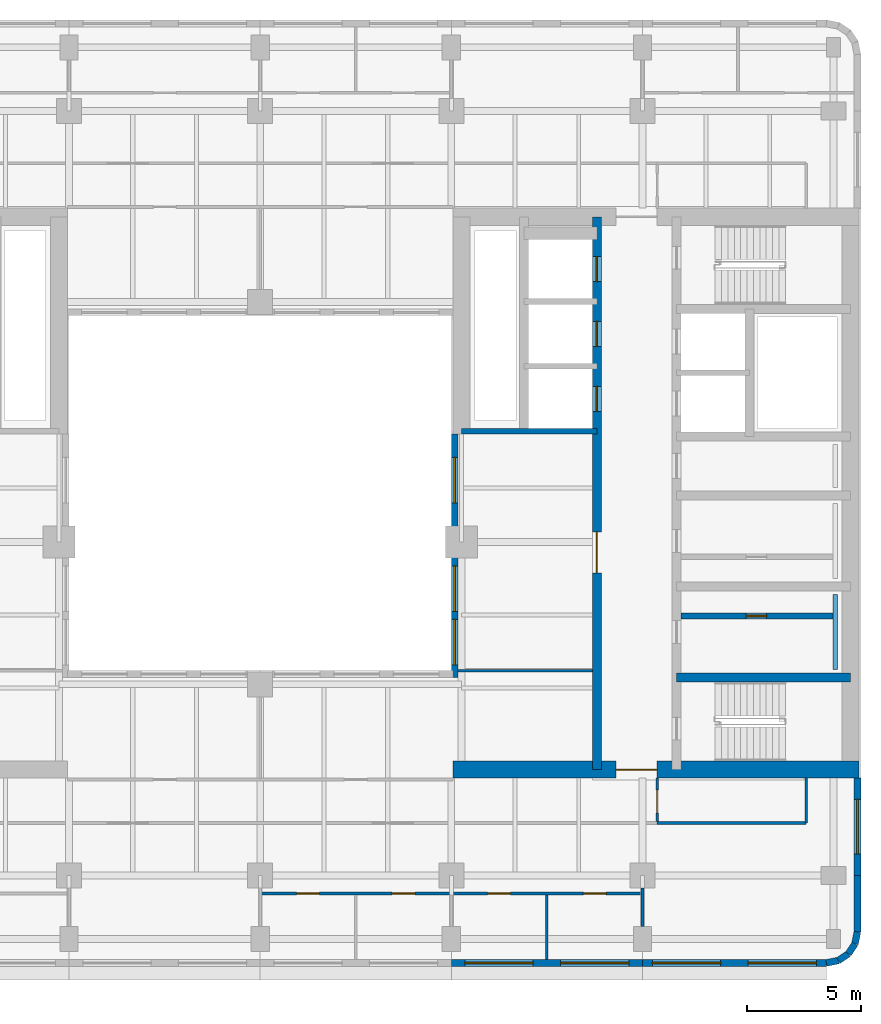
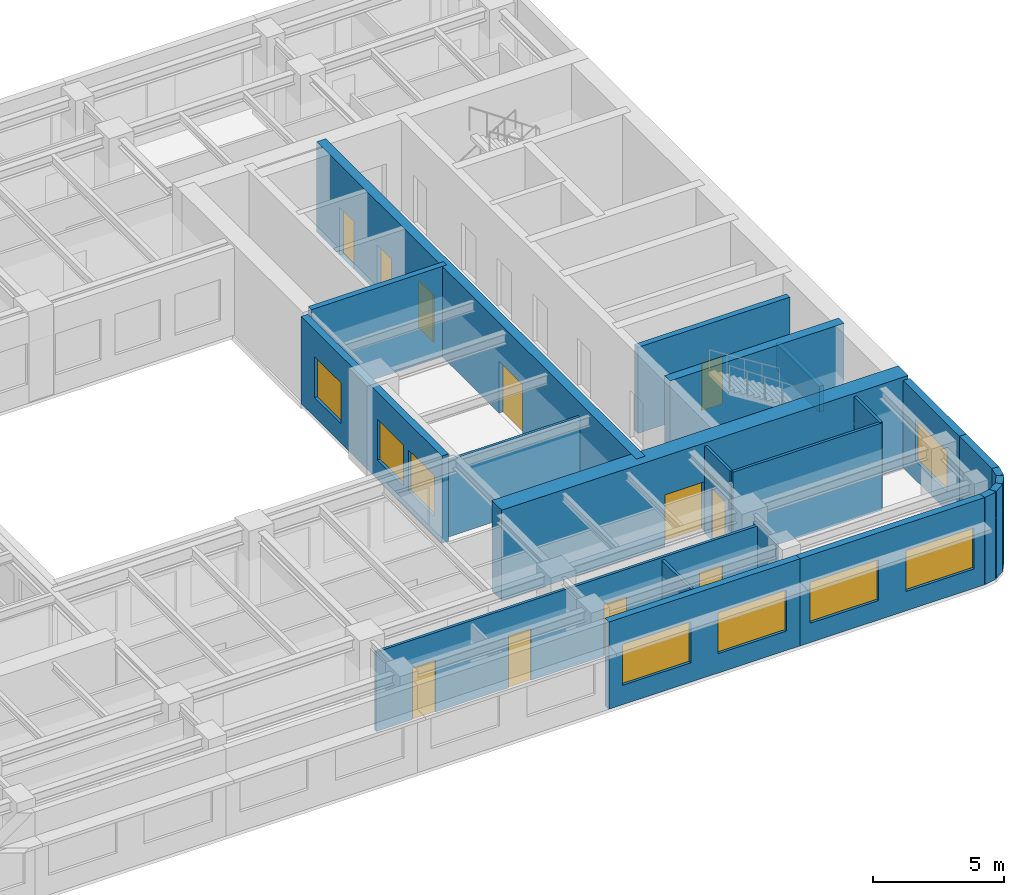
# One storey, part 5 of 11: 22 walls, 11 doors, 8 windows, 19 openings.
"""IFC4 building model written with IfcOpenShell, lengths in metres."""

from ifc_helpers import new_model, si_unit, direction, frame, frame_2d, origin, place, context, subcontext, project, spatial, rectangle, extrude, material, layer, layer_set, type_object, element, fill, save


model = new_model("IFC4")

# Units and contexts
model_context = context("Model", 3, precision=1e-05, world=origin(), true_north=direction((0.0, 1.0)))
body_context = subcontext(model_context, "Body", "Model", "MODEL_VIEW")
ifc_project = project(units=[si_unit("LENGTHUNIT", "METRE"), si_unit("AREAUNIT", "SQUARE_METRE"), si_unit("VOLUMEUNIT", "CUBIC_METRE"), si_unit("PLANEANGLEUNIT", "RADIAN"), si_unit("MASSUNIT", "GRAM", prefix="KILO")], contexts=[model_context])

# Site, building, storey
site_placement = place(None, origin())
site = spatial("IfcSite", under=ifc_project, at=site_placement, CompositionType="ELEMENT")
building_placement = place(site_placement, origin())
building = spatial("IfcBuilding", under=site, at=building_placement, Name="Claustro Exchange Tower", CompositionType="ELEMENT")
storey_placement = place(building_placement, frame((0.0, 0.0, 228.0)))
storey = spatial("IfcBuildingStorey", under=building, at=storey_placement, Name="L52", CompositionType="ELEMENT", Elevation=228.0)

# Wall
ifc_material_1 = material(Name="Laminated glass in aluminium frame", Category="aluminium")
ifc_layer_1 = layer(ifc_material_1, 0.1201171875)
ifc_layer_set_1 = layer_set([ifc_layer_1], Name="Laminated glass in aluminium frame")
wall_type_1 = type_object("IfcWallType", Name="P2 120 glazed partition", PredefinedType="PARTITIONING", material=ifc_layer_set_1)
wall_1_placement = place(storey_placement, frame((33.89794921875, 17.39990234375, 0.0), z_axis=(0.0, 0.0, 1.0), x_axis=(1.0, 0.0, 0.0)))
element("IfcWall", 1, at=wall_1_placement, inside=storey, type_object=wall_type_1, Name="Partition P2 L52", PredefinedType="PARTITIONING", context=body_context, shape_type="SweptSolid", body=[
    extrude(rectangle(XDim=5.904052734375, YDim=0.1201171875, at=frame_2d((2.9521484375, 0.0))), origin(), (0.0, 0.0, 1.0), 3.550048828125),
])

# Wall, openings, doors
wall_2_placement = place(storey_placement, frame((25.199951171875, 7.60009765625, 0.0), z_axis=(0.0, 0.0, 1.0), x_axis=(1.0, 0.0, 0.0)))
wall_2 = element("IfcWall", 2, at=wall_2_placement, inside=storey, type_object=wall_type_1, Name="Partition P2 L52", PredefinedType="PARTITIONING", context=body_context, shape_type="SweptSolid", body=[
    extrude(rectangle(XDim=16.800048828125, YDim=0.1201171875, at=frame_2d((8.39990234375, 0.0))), origin(), (0.0, 0.0, 1.0), 3.68994140625),
])
opening_1_placement = place(wall_2_placement, frame((1.60009765625, 0.0, 0.0)))
opening_1 = element("IfcOpeningElement", 3, at=opening_1_placement, cuts=wall_2, Name="Opening D7", PredefinedType="OPENING", context=body_context, shape_type="SweptSolid", body=[
    extrude(rectangle(XDim=1.0, YDim=2.39990234375, at=frame_2d((0.5, 1.199951171875))), frame((0.0, 0.070068359375, 0.0), z_axis=(0.0, -1.0, 0.0), x_axis=(1.0, 0.0, 0.0)), (0.0, 0.0, 1.0), 0.14013671875),
])
opening_2_placement = place(wall_2_placement, frame((5.800048828125, 0.0, 0.0)))
opening_2 = element("IfcOpeningElement", 4, at=opening_2_placement, cuts=wall_2, Name="Opening D7", PredefinedType="OPENING", context=body_context, shape_type="SweptSolid", body=[
    extrude(rectangle(XDim=1.0, YDim=2.39990234375, at=frame_2d((0.5, 1.199951171875))), frame((0.0, 0.070068359375, 0.0), z_axis=(0.0, -1.0, 0.0), x_axis=(1.0, 0.0, 0.0)), (0.0, 0.0, 1.0), 0.14013671875),
])
opening_3_placement = place(wall_2_placement, frame((10.0, 0.0, 0.0)))
opening_3 = element("IfcOpeningElement", 5, at=opening_3_placement, cuts=wall_2, Name="Opening D7", PredefinedType="OPENING", context=body_context, shape_type="SweptSolid", body=[
    extrude(rectangle(XDim=1.0, YDim=2.39990234375, at=frame_2d((0.5, 1.199951171875))), frame((0.0, 0.070068359375, 0.0), z_axis=(0.0, -1.0, 0.0), x_axis=(1.0, 0.0, 0.0)), (0.0, 0.0, 1.0), 0.14013671875),
])
opening_4_placement = place(wall_2_placement, frame((14.199951171875, 0.0, 0.0)))
opening_4 = element("IfcOpeningElement", 6, at=opening_4_placement, cuts=wall_2, Name="Opening D7", PredefinedType="OPENING", context=body_context, shape_type="SweptSolid", body=[
    extrude(rectangle(XDim=1.0, YDim=2.39990234375, at=frame_2d((0.5, 1.199951171875))), frame((0.0, 0.070068359375, 0.0), z_axis=(0.0, -1.0, 0.0), x_axis=(1.0, 0.0, 0.0)), (0.0, 0.0, 1.0), 0.14013671875),
])
ifc_material_2 = material(Name="Glass door in aluminium frame", Category="aluminium")
door_type_1 = type_object("IfcDoorType", Name="D7 1000 x 2400 glazed door", OperationType="SINGLE_SWING_LEFT", PredefinedType="DOOR", material=ifc_material_2)
door_1_placement = place(opening_1_placement, frame((1.0, 0.0, 0.0), z_axis=(0.0, 0.0, 1.0), x_axis=(-1.0, 0.0, 0.0)))
door_1 = element("IfcDoor", 7, at=door_1_placement, inside=storey, type_object=door_type_1, Name="Door D7 L52", OperationType="SINGLE_SWING_LEFT", OverallHeight=2.39990234375, OverallWidth=1.0, PredefinedType="DOOR", context=body_context, shape_type="SweptSolid", body=[
    extrude(rectangle(XDim=1.0, YDim=2.39990234375, at=frame_2d((0.5, 1.199951171875))), frame((0.0, 0.02490234375, 0.0), z_axis=(0.0, -1.0, 0.0), x_axis=(1.0, 0.0, 0.0)), (0.0, 0.0, 1.0), 0.050048828125),
])
fill(opening_1, door_1)
door_2_placement = place(opening_2_placement, frame((1.0, 0.0, 0.0), z_axis=(0.0, 0.0, 1.0), x_axis=(-1.0, 0.0, 0.0)))
door_2 = element("IfcDoor", 8, at=door_2_placement, inside=storey, type_object=door_type_1, Name="Door D7 L52", OperationType="SINGLE_SWING_RIGHT", OverallHeight=2.39990234375, OverallWidth=1.0, PredefinedType="DOOR", context=body_context, shape_type="SweptSolid", body=[
    extrude(rectangle(XDim=1.0, YDim=2.39990234375, at=frame_2d((0.5, 1.199951171875))), frame((0.0, 0.02490234375, 0.0), z_axis=(0.0, -1.0, 0.0), x_axis=(1.0, 0.0, 0.0)), (0.0, 0.0, 1.0), 0.050048828125),
])
fill(opening_2, door_2)
door_3_placement = place(opening_3_placement, frame((1.0, 0.0, 0.0), z_axis=(0.0, 0.0, 1.0), x_axis=(-1.0, 0.0, 0.0)))
door_3 = element("IfcDoor", 9, at=door_3_placement, inside=storey, type_object=door_type_1, Name="Door D7 L52", OperationType="SINGLE_SWING_RIGHT", OverallHeight=2.39990234375, OverallWidth=1.0, PredefinedType="DOOR", context=body_context, shape_type="SweptSolid", body=[
    extrude(rectangle(XDim=1.0, YDim=2.39990234375, at=frame_2d((0.5, 1.199951171875))), frame((0.0, 0.02490234375, 0.0), z_axis=(0.0, -1.0, 0.0), x_axis=(1.0, 0.0, 0.0)), (0.0, 0.0, 1.0), 0.050048828125),
])
fill(opening_3, door_3)
door_4_placement = place(opening_4_placement, frame((1.0, 0.0, 0.0), z_axis=(0.0, 0.0, 1.0), x_axis=(-1.0, 0.0, 0.0)))
door_4 = element("IfcDoor", 10, at=door_4_placement, inside=storey, type_object=door_type_1, Name="Door D7 L52", OperationType="SINGLE_SWING_RIGHT", OverallHeight=2.39990234375, OverallWidth=1.0, PredefinedType="DOOR", context=body_context, shape_type="SweptSolid", body=[
    extrude(rectangle(XDim=1.0, YDim=2.39990234375, at=frame_2d((0.5, 1.199951171875))), frame((0.0, 0.02490234375, 0.0), z_axis=(0.0, -1.0, 0.0), x_axis=(1.0, 0.0, 0.0)), (0.0, 0.0, 1.0), 0.050048828125),
])
fill(opening_4, door_4)

# Walls
wall_3_placement = place(storey_placement, frame((37.800048828125, 4.699951171875, 0.0), z_axis=(0.0, 0.0, 1.0), x_axis=(0.0, 1.0, 0.0)))
element("IfcWall", 11, at=wall_3_placement, inside=storey, type_object=wall_type_1, Name="Partition P2 L52", PredefinedType="PARTITIONING", context=body_context, shape_type="SweptSolid", body=[
    extrude(rectangle(XDim=2.842041015625, YDim=0.1201171875, at=frame_2d((1.4208984375, 0.0))), origin(), (0.0, 0.0, 1.0), 3.56005859375),
])
wall_4_placement = place(storey_placement, frame((42.0, 6.14892578125, 0.0), z_axis=(0.0, 0.0, 1.0), x_axis=(0.0, 1.0, 0.0)))
element("IfcWall", 12, at=wall_4_placement, inside=storey, type_object=wall_type_1, Name="Partition P2 L52", PredefinedType="PARTITIONING", context=body_context, shape_type="SweptSolid", body=[
    extrude(rectangle(XDim=1.703125, YDim=0.1201171875, at=frame_2d((0.8515625, 0.0))), origin(), (0.0, 0.0, 1.0), 3.68994140625),
])

# Wall, opening, door
wall_5_placement = place(storey_placement, frame((42.64990234375, 10.758056640625, 0.0), z_axis=(0.0, 0.0, 1.0), x_axis=(0.0, 1.0, 0.0)))
wall_5 = element("IfcWall", 13, at=wall_5_placement, inside=storey, type_object=wall_type_1, Name="Partition P2 L52", PredefinedType="PARTITIONING", context=body_context, shape_type="SweptSolid", body=[
    extrude(rectangle(XDim=1.91796875, YDim=0.1201171875, at=frame_2d((0.958984375, 0.0))), origin(), (0.0, 0.0, 1.0), 4.050048828125),
])
opening_5_placement = place(wall_5_placement, frame((0.39208984375, 0.0, 0.0)))
opening_5 = element("IfcOpeningElement", 14, at=opening_5_placement, cuts=wall_5, Name="Opening D7", PredefinedType="OPENING", context=body_context, shape_type="SweptSolid", body=[
    extrude(rectangle(XDim=1.0, YDim=2.39990234375, at=frame_2d((0.5, 1.199951171875))), frame((0.0, 0.070068359375, 0.0), z_axis=(0.0, -1.0, 0.0), x_axis=(1.0, 0.0, 0.0)), (0.0, 0.0, 1.0), 0.14013671875),
])
door_5_placement = place(opening_5_placement, frame((1.0, 0.0, 0.0), z_axis=(0.0, 0.0, 1.0), x_axis=(-1.0, 0.0, 0.0)))
door_5 = element("IfcDoor", 15, at=door_5_placement, inside=storey, type_object=door_type_1, Name="Door D7 L52", OperationType="SINGLE_SWING_RIGHT", OverallHeight=2.39990234375, OverallWidth=1.0, PredefinedType="DOOR", context=body_context, shape_type="SweptSolid", body=[
    extrude(rectangle(XDim=1.0, YDim=2.39990234375, at=frame_2d((0.5, 1.199951171875))), frame((0.0, 0.02490234375, 0.0), z_axis=(0.0, -1.0, 0.0), x_axis=(1.0, 0.0, 0.0)), (0.0, 0.0, 1.0), 0.050048828125),
])
fill(opening_5, door_5)

# Walls
wall_6_placement = place(storey_placement, frame((42.64794921875, 10.699951171875, 0.0), z_axis=(0.0, 0.0, 1.0), x_axis=(1.0, 0.0, 0.0)))
element("IfcWall", 16, at=wall_6_placement, inside=storey, type_object=wall_type_1, Name="Partition P2 L52", PredefinedType="PARTITIONING", context=body_context, shape_type="SweptSolid", body=[
    extrude(rectangle(XDim=6.552001953125, YDim=0.1201171875, at=frame_2d((3.27587890625, 0.0))), origin(), (0.0, 0.0, 1.0), 4.050048828125),
])
wall_7_placement = place(storey_placement, frame((49.199951171875, 10.699951171875, 0.0), z_axis=(0.0, 0.0, 1.0), x_axis=(0.0, 1.0, 0.0)))
element("IfcWall", 17, at=wall_7_placement, inside=storey, type_object=wall_type_1, Name="Partition P2 L52", PredefinedType="PARTITIONING", context=body_context, shape_type="SweptSolid", body=[
    extrude(rectangle(XDim=1.97607421875, YDim=0.1201171875, at=frame_2d((0.988037109375, 0.0))), origin(), (0.0, 0.0, 1.0), 4.050048828125),
])

# Wall, opening, door
ifc_material_3 = material(Name="Concrete blockwork, rendered", Category="masonry")
ifc_layer_2 = layer(ifc_material_3, 0.25)
ifc_layer_set_2 = layer_set([ifc_layer_2], Name="Concrete blockwork, rendered")
wall_type_2 = type_object("IfcWallType", Name="P4 250 blockwork wall", PredefinedType="PARTITIONING", material=ifc_layer_set_2)
wall_8_placement = place(storey_placement, frame((43.699951171875, 19.800048828125, 0.0), z_axis=(0.0, 0.0, 1.0), x_axis=(1.0, 0.0, 0.0)))
wall_8 = element("IfcWall", 18, at=wall_8_placement, inside=storey, type_object=wall_type_2, Name="Partition P4 L52", PredefinedType="PARTITIONING", context=body_context, shape_type="SweptSolid", body=[
    extrude(rectangle(XDim=6.675048828125, YDim=0.25, at=frame_2d((3.33740234375, 0.0))), origin(), (0.0, 0.0, 1.0), 4.0),
])
opening_6_placement = place(wall_8_placement, frame((2.862548828125, 0.0, 0.0)))
opening_6 = element("IfcOpeningElement", 19, at=opening_6_placement, cuts=wall_8, Name="Opening D5", PredefinedType="OPENING", context=body_context, shape_type="SweptSolid", body=[
    extrude(rectangle(XDim=0.89990234375, YDim=2.199951171875, at=frame_2d((0.449951171875, 1.10009765625))), frame((0.0, 0.135009765625, 0.0), z_axis=(0.0, -1.0, 0.0), x_axis=(1.0, 0.0, 0.0)), (0.0, 0.0, 1.0), 0.27001953125),
])
ifc_material_4 = material(Name="Steel door, painted", Category="steel")
door_type_2 = type_object("IfcDoorType", Name="D5 900 x 2200 store door", OperationType="SINGLE_SWING_LEFT", PredefinedType="DOOR", material=ifc_material_4)
door_6_placement = place(opening_6_placement, origin())
door_6 = element("IfcDoor", 20, at=door_6_placement, inside=storey, type_object=door_type_2, Name="Store door D5 L52", OperationType="SINGLE_SWING_LEFT", OverallHeight=2.199951171875, OverallWidth=0.89990234375, PredefinedType="DOOR", context=body_context, shape_type="SweptSolid", body=[
    extrude(rectangle(XDim=0.89990234375, YDim=2.199951171875, at=frame_2d((0.449951171875, 1.10009765625))), frame((0.0, 0.02490234375, 0.0), z_axis=(0.0, -1.0, 0.0), x_axis=(1.0, 0.0, 0.0)), (0.0, 0.0, 1.0), 0.050048828125),
])
fill(opening_6, door_6)

# Wall, openings, windows
ifc_material_5 = material(Name="Concrete HA-40 (C40/50), precast, white cement, acid-etched", Category="concrete")
ifc_layer_3 = layer(ifc_material_5, 0.300048828125)
ifc_layer_set_3 = layer_set([ifc_layer_3], Name="Concrete HA-40 (C40/50), precast, white cement, acid-etched")
wall_type_3 = type_object("IfcWallType", Name="PC1 300 precast concrete pier panel", PredefinedType="SOLIDWALL", material=ifc_layer_set_3)
wall_9_placement = place(storey_placement, frame((50.085205078125, 4.550048828125, 0.0), z_axis=(0.0, 0.0, 1.0), x_axis=(-1.0, 0.0, 0.0)))
wall_9 = element("IfcWall", 21, at=wall_9_placement, inside=storey, type_object=wall_type_3, Name="Precast pier panel PC1 L52", PredefinedType="SOLIDWALL", context=body_context, shape_type="SweptSolid", body=[
    extrude(rectangle(XDim=8.085205078125, YDim=0.300048828125, at=frame_2d((4.04248046875, 0.0))), origin(), (0.0, 0.0, 1.0), 4.050048828125),
])
opening_7_placement = place(wall_9_placement, frame((0.442626953125, 0.0, 0.89990234375)))
opening_7 = element("IfcOpeningElement", 22, at=opening_7_placement, cuts=wall_9, Name="Opening W1", PredefinedType="OPENING", context=body_context, shape_type="SweptSolid", body=[
    extrude(rectangle(XDim=3.0, YDim=1.89990234375, at=frame_2d((1.5, 0.949951171875))), frame((0.0, 0.159912109375, 0.0), z_axis=(0.0, -1.0, 0.0), x_axis=(1.0, 0.0, 0.0)), (0.0, 0.0, 1.0), 0.320068359375),
])
opening_8_placement = place(wall_9_placement, frame((4.642578125, 0.0, 0.89990234375)))
opening_8 = element("IfcOpeningElement", 23, at=opening_8_placement, cuts=wall_9, Name="Opening W1", PredefinedType="OPENING", context=body_context, shape_type="SweptSolid", body=[
    extrude(rectangle(XDim=3.0, YDim=1.89990234375, at=frame_2d((1.5, 0.949951171875))), frame((0.0, 0.159912109375, 0.0), z_axis=(0.0, -1.0, 0.0), x_axis=(1.0, 0.0, 0.0)), (0.0, 0.0, 1.0), 0.320068359375),
])
ifc_material_6 = material(Name="Aluminium frame, clear double glazing", Category="aluminium")
window_type_1 = type_object("IfcWindowType", Name="W1 3000 x 1900 window", PartitioningType="SINGLE_PANEL", PredefinedType="WINDOW", material=ifc_material_6)
window_1_placement = place(opening_7_placement, origin())
window_1 = element("IfcWindow", 24, at=window_1_placement, inside=storey, type_object=window_type_1, Name="Window W1 L52", OverallHeight=1.89990234375, OverallWidth=3.0, PartitioningType="SINGLE_PANEL", PredefinedType="WINDOW", context=body_context, shape_type="SweptSolid", body=[
    extrude(rectangle(XDim=3.0, YDim=1.89990234375, at=frame_2d((1.5, 0.949951171875))), frame((0.0, 0.030029296875, 0.0), z_axis=(0.0, -1.0, 0.0), x_axis=(1.0, 0.0, 0.0)), (0.0, 0.0, 1.0), 0.06005859375),
])
fill(opening_7, window_1)
window_2_placement = place(opening_8_placement, origin())
window_2 = element("IfcWindow", 25, at=window_2_placement, inside=storey, type_object=window_type_1, Name="Window W1 L52", OverallHeight=1.89990234375, OverallWidth=3.0, PartitioningType="SINGLE_PANEL", PredefinedType="WINDOW", context=body_context, shape_type="SweptSolid", body=[
    extrude(rectangle(XDim=3.0, YDim=1.89990234375, at=frame_2d((1.5, 0.949951171875))), frame((0.0, 0.030029296875, 0.0), z_axis=(0.0, -1.0, 0.0), x_axis=(1.0, 0.0, 0.0)), (0.0, 0.0, 1.0), 0.06005859375),
])
fill(opening_8, window_2)

wall_10_placement = place(storey_placement, frame((42.0, 4.550048828125, 0.0), z_axis=(0.0, 0.0, 1.0), x_axis=(-1.0, 0.0, 0.0)))
wall_10 = element("IfcWall", 26, at=wall_10_placement, inside=storey, type_object=wall_type_3, Name="Precast pier panel PC1 L52", PredefinedType="SOLIDWALL", context=body_context, shape_type="SweptSolid", body=[
    extrude(rectangle(XDim=8.39990234375, YDim=0.300048828125, at=frame_2d((4.199951171875, 0.0))), origin(), (0.0, 0.0, 1.0), 4.050048828125),
])
opening_9_placement = place(wall_10_placement, frame((0.60009765625, 0.0, 0.89990234375)))
opening_9 = element("IfcOpeningElement", 27, at=opening_9_placement, cuts=wall_10, Name="Opening W1", PredefinedType="OPENING", context=body_context, shape_type="SweptSolid", body=[
    extrude(rectangle(XDim=3.0, YDim=1.89990234375, at=frame_2d((1.5, 0.949951171875))), frame((0.0, 0.159912109375, 0.0), z_axis=(0.0, -1.0, 0.0), x_axis=(1.0, 0.0, 0.0)), (0.0, 0.0, 1.0), 0.320068359375),
])
opening_10_placement = place(wall_10_placement, frame((4.800048828125, 0.0, 0.89990234375)))
opening_10 = element("IfcOpeningElement", 28, at=opening_10_placement, cuts=wall_10, Name="Opening W1", PredefinedType="OPENING", context=body_context, shape_type="SweptSolid", body=[
    extrude(rectangle(XDim=3.0, YDim=1.89990234375, at=frame_2d((1.5, 0.949951171875))), frame((0.0, 0.159912109375, 0.0), z_axis=(0.0, -1.0, 0.0), x_axis=(1.0, 0.0, 0.0)), (0.0, 0.0, 1.0), 0.320068359375),
])
window_3_placement = place(opening_9_placement, origin())
window_3 = element("IfcWindow", 29, at=window_3_placement, inside=storey, type_object=window_type_1, Name="Window W1 L52", OverallHeight=1.89990234375, OverallWidth=3.0, PartitioningType="SINGLE_PANEL", PredefinedType="WINDOW", context=body_context, shape_type="SweptSolid", body=[
    extrude(rectangle(XDim=3.0, YDim=1.89990234375, at=frame_2d((1.5, 0.949951171875))), frame((0.0, 0.030029296875, 0.0), z_axis=(0.0, -1.0, 0.0), x_axis=(1.0, 0.0, 0.0)), (0.0, 0.0, 1.0), 0.06005859375),
])
fill(opening_9, window_3)
window_4_placement = place(opening_10_placement, origin())
window_4 = element("IfcWindow", 30, at=window_4_placement, inside=storey, type_object=window_type_1, Name="Window W1 L52", OverallHeight=1.89990234375, OverallWidth=3.0, PartitioningType="SINGLE_PANEL", PredefinedType="WINDOW", context=body_context, shape_type="SweptSolid", body=[
    extrude(rectangle(XDim=3.0, YDim=1.89990234375, at=frame_2d((1.5, 0.949951171875))), frame((0.0, 0.030029296875, 0.0), z_axis=(0.0, -1.0, 0.0), x_axis=(1.0, 0.0, 0.0)), (0.0, 0.0, 1.0), 0.06005859375),
])
fill(opening_10, window_4)

# Wall, opening, window
wall_11_placement = place(storey_placement, frame((51.449951171875, 12.675048828125, 0.0), z_axis=(0.0, 0.0, 1.0), x_axis=(0.0, -1.0, 0.0)))
wall_11 = element("IfcWall", 31, at=wall_11_placement, inside=storey, type_object=wall_type_3, Name="Precast pier panel PC1 L52", PredefinedType="SOLIDWALL", context=body_context, shape_type="SweptSolid", body=[
    extrude(rectangle(XDim=4.275146484375, YDim=0.300048828125, at=frame_2d((2.1376953125, 0.0))), origin(), (0.0, 0.0, 1.0), 4.050048828125),
])
opening_11_placement = place(wall_11_placement, frame((0.9375, 0.0, 0.89990234375)))
opening_11 = element("IfcOpeningElement", 32, at=opening_11_placement, cuts=wall_11, Name="Opening W2", PredefinedType="OPENING", context=body_context, shape_type="SweptSolid", body=[
    extrude(rectangle(XDim=2.39990234375, YDim=1.89990234375, at=frame_2d((1.199951171875, 0.949951171875))), frame((0.0, 0.159912109375, 0.0), z_axis=(0.0, -1.0, 0.0), x_axis=(1.0, 0.0, 0.0)), (0.0, 0.0, 1.0), 0.320068359375),
])
ifc_material_7 = material(Name="Aluminium frame, clear double glazing", Category="aluminium")
window_type_2 = type_object("IfcWindowType", Name="W2 2400 x 1900 window", PartitioningType="SINGLE_PANEL", PredefinedType="WINDOW", material=ifc_material_7)
window_5_placement = place(opening_11_placement, origin())
window_5 = element("IfcWindow", 33, at=window_5_placement, inside=storey, type_object=window_type_2, Name="Window W2 L52", OverallHeight=1.89990234375, OverallWidth=2.39990234375, PartitioningType="SINGLE_PANEL", PredefinedType="WINDOW", context=body_context, shape_type="SweptSolid", body=[
    extrude(rectangle(XDim=2.39990234375, YDim=1.89990234375, at=frame_2d((1.199951171875, 0.949951171875))), frame((0.0, 0.030029296875, 0.0), z_axis=(0.0, -1.0, 0.0), x_axis=(1.0, 0.0, 0.0)), (0.0, 0.0, 1.0), 0.06005859375),
])
fill(opening_11, window_5)

# Walls
wall_12_placement = place(storey_placement, frame((51.449951171875, 8.39990234375, 0.0), z_axis=(0.0, 0.0, 1.0), x_axis=(0.0, -1.0, 0.0)))
element("IfcWall", 34, at=wall_12_placement, inside=storey, type_object=wall_type_3, Name="Precast pier panel PC1 L52", PredefinedType="SOLIDWALL", context=body_context, shape_type="SweptSolid", body=[
    extrude(rectangle(XDim=2.485107421875, YDim=0.300048828125, at=frame_2d((1.24267578125, 0.0))), origin(), (0.0, 0.0, 1.0), 4.050048828125),
])
wall_13_placement = place(storey_placement, frame((51.449951171875, 5.914794921875, 0.0), z_axis=(0.0, 0.0, 1.0), x_axis=(-0.195073962632, -0.980788534345, 0.0)))
element("IfcWall", 35, at=wall_13_placement, inside=storey, type_object=wall_type_3, Name="Precast pier panel PC1 L52", PredefinedType="SOLIDWALL", context=body_context, shape_type="SweptSolid", body=[
    extrude(rectangle(XDim=0.540771484375, YDim=0.300048828125, at=frame_2d((0.2705078125, 0.0))), origin(), (0.0, 0.0, 1.0), 4.050048828125),
])
for number, where, z_axis, x_axis, name in (
    (36, (51.344482421875, 5.384521484375, 0.0), (0.0, 0.0, 1.0), (-0.555557463938, -0.831478144188, 0.0), "Precast pier panel PC1 L52"),
    (37, (51.052490234375, 4.947509765625, 0.0), (0.0, 0.0, 1.0), (-0.831478144188, -0.555557463938, 0.0), "Precast pier panel PC1 L52"),
):
    element("IfcWall", number, at=place(storey_placement, frame(where, z_axis=z_axis, x_axis=x_axis)), inside=storey, type_object=wall_type_3, Name=name, PredefinedType="SOLIDWALL", context=body_context, shape_type="SweptSolid", body=[
        extrude(rectangle(XDim=0.525634765625, YDim=0.300048828125, at=frame_2d((0.2626953125, 0.0))), origin(), (0.0, 0.0, 1.0), 4.050048828125),
    ])
wall_14_placement = place(storey_placement, frame((50.615478515625, 4.655517578125, 0.0), z_axis=(0.0, 0.0, 1.0), x_axis=(-0.980788534345, -0.195073962632, 0.0)))
element("IfcWall", 38, at=wall_14_placement, inside=storey, type_object=wall_type_3, Name="Precast pier panel PC1 L52", PredefinedType="SOLIDWALL", context=body_context, shape_type="SweptSolid", body=[
    extrude(rectangle(XDim=0.540771484375, YDim=0.300048828125, at=frame_2d((0.2705078125, 0.0))), origin(), (0.0, 0.0, 1.0), 4.050048828125),
])

# Wall, openings, windows
wall_15_placement = place(storey_placement, frame((33.75, 17.10009765625, 0.0), z_axis=(0.0, 0.0, 1.0), x_axis=(0.0, 1.0, 0.0)))
wall_15 = element("IfcWall", 39, at=wall_15_placement, inside=storey, type_object=wall_type_3, Name="Precast pier panel PC1 L52", PredefinedType="SOLIDWALL", context=body_context, shape_type="SweptSolid", body=[
    extrude(rectangle(XDim=10.699951171875, YDim=0.300048828125, at=frame_2d((5.35009765625, 0.0))), origin(), (0.0, 0.0, 1.0), 4.050048828125),
])
opening_12_placement = place(wall_15_placement, frame((0.550048828125, 0.0, 0.89990234375)))
opening_12 = element("IfcOpeningElement", 40, at=opening_12_placement, cuts=wall_15, Name="Opening W4", PredefinedType="OPENING", context=body_context, shape_type="SweptSolid", body=[
    extrude(rectangle(XDim=2.0, YDim=1.89990234375, at=frame_2d((1.0, 0.949951171875))), frame((0.0, 0.159912109375, 0.0), z_axis=(0.0, -1.0, 0.0), x_axis=(1.0, 0.0, 0.0)), (0.0, 0.0, 1.0), 0.320068359375),
])
opening_13_placement = place(wall_15_placement, frame((2.89990234375, 0.0, 0.89990234375)))
opening_13 = element("IfcOpeningElement", 41, at=opening_13_placement, cuts=wall_15, Name="Opening W4", PredefinedType="OPENING", context=body_context, shape_type="SweptSolid", body=[
    extrude(rectangle(XDim=2.0, YDim=1.89990234375, at=frame_2d((1.0, 0.949951171875))), frame((0.0, 0.159912109375, 0.0), z_axis=(0.0, -1.0, 0.0), x_axis=(1.0, 0.0, 0.0)), (0.0, 0.0, 1.0), 0.320068359375),
])
opening_14_placement = place(wall_15_placement, frame((7.675048828125, 0.0, 0.89990234375)))
opening_14 = element("IfcOpeningElement", 42, at=opening_14_placement, cuts=wall_15, Name="Opening W4", PredefinedType="OPENING", context=body_context, shape_type="SweptSolid", body=[
    extrude(rectangle(XDim=2.0, YDim=1.89990234375, at=frame_2d((1.0, 0.949951171875))), frame((0.0, 0.159912109375, 0.0), z_axis=(0.0, -1.0, 0.0), x_axis=(1.0, 0.0, 0.0)), (0.0, 0.0, 1.0), 0.320068359375),
])
ifc_material_8 = material(Name="Aluminium frame, clear double glazing", Category="aluminium")
window_type_3 = type_object("IfcWindowType", Name="W4 2000 x 1900 light well window", PartitioningType="SINGLE_PANEL", PredefinedType="WINDOW", material=ifc_material_8)
window_6_placement = place(opening_12_placement, origin())
window_6 = element("IfcWindow", 43, at=window_6_placement, inside=storey, type_object=window_type_3, Name="Window W4 L52", OverallHeight=1.89990234375, OverallWidth=2.0, PartitioningType="SINGLE_PANEL", PredefinedType="WINDOW", context=body_context, shape_type="SweptSolid", body=[
    extrude(rectangle(XDim=2.0, YDim=1.89990234375, at=frame_2d((1.0, 0.949951171875))), frame((0.0, 0.030029296875, 0.0), z_axis=(0.0, -1.0, 0.0), x_axis=(1.0, 0.0, 0.0)), (0.0, 0.0, 1.0), 0.06005859375),
])
fill(opening_12, window_6)
window_7_placement = place(opening_13_placement, origin())
window_7 = element("IfcWindow", 44, at=window_7_placement, inside=storey, type_object=window_type_3, Name="Window W4 L52", OverallHeight=1.89990234375, OverallWidth=2.0, PartitioningType="SINGLE_PANEL", PredefinedType="WINDOW", context=body_context, shape_type="SweptSolid", body=[
    extrude(rectangle(XDim=2.0, YDim=1.89990234375, at=frame_2d((1.0, 0.949951171875))), frame((0.0, 0.030029296875, 0.0), z_axis=(0.0, -1.0, 0.0), x_axis=(1.0, 0.0, 0.0)), (0.0, 0.0, 1.0), 0.06005859375),
])
fill(opening_13, window_7)
window_8_placement = place(opening_14_placement, origin())
window_8 = element("IfcWindow", 45, at=window_8_placement, inside=storey, type_object=window_type_3, Name="Window W4 L52", OverallHeight=1.89990234375, OverallWidth=2.0, PartitioningType="SINGLE_PANEL", PredefinedType="WINDOW", context=body_context, shape_type="SweptSolid", body=[
    extrude(rectangle(XDim=2.0, YDim=1.89990234375, at=frame_2d((1.0, 0.949951171875))), frame((0.0, 0.030029296875, 0.0), z_axis=(0.0, -1.0, 0.0), x_axis=(1.0, 0.0, 0.0)), (0.0, 0.0, 1.0), 0.06005859375),
])
fill(opening_14, window_8)

# Wall
ifc_material_9 = material(Name="Gypsum board on steel studs, tiled", Category="steel")
ifc_layer_4 = layer(ifc_material_9, 0.199951171875)
ifc_layer_set_4 = layer_set([ifc_layer_4], Name="Gypsum board on steel studs, tiled")
wall_type_4 = type_object("IfcWallType", Name="PW1 200 WC duct wall", PredefinedType="PLUMBINGWALL", material=ifc_layer_set_4)
wall_16_placement = place(storey_placement, frame((50.47509765625, 17.449951171875, 0.0), z_axis=(0.0, 0.0, 1.0), x_axis=(0.0, 1.0, 0.0)))
element("IfcWall", 46, at=wall_16_placement, inside=storey, type_object=wall_type_4, Name="WC duct wall PW1 L52", PredefinedType="PLUMBINGWALL", context=body_context, shape_type="SweptSolid", body=[
    extrude(rectangle(XDim=3.300048828125, YDim=0.199951171875, at=frame_2d((1.64990234375, 0.0))), origin(), (0.0, 0.0, 1.0), 1.199951171875),
])

# Wall, opening, door
ifc_material_10 = material(Name="Concrete HA-70 (C70/85)", Category="concrete")
ifc_layer_5 = layer(ifc_material_10, 0.75)
ifc_layer_set_5 = layer_set([ifc_layer_5], Name="Concrete HA-70 (C70/85)")
wall_type_5 = type_object("IfcWallType", Name="SW2 750 core shear wall", PredefinedType="SHEAR", material=ifc_layer_set_5)
wall_17_placement = place(storey_placement, frame((33.675048828125, 13.050048828125, 0.0), z_axis=(0.0, 0.0, 1.0), x_axis=(1.0, 0.0, 0.0)))
wall_17 = element("IfcWall", 47, at=wall_17_placement, inside=storey, type_object=wall_type_5, Name="Core wall SW2 E core S face L52", PredefinedType="SHEAR", context=body_context, shape_type="SweptSolid", body=[
    extrude(rectangle(XDim=17.849853515625, YDim=0.75, at=frame_2d((8.9248046875, 0.0))), origin(), (0.0, 0.0, 1.0), 4.199951171875),
])
opening_15_placement = place(wall_17_placement, frame((7.175048828125, 0.0, 0.0)))
opening_15 = element("IfcOpeningElement", 48, at=opening_15_placement, cuts=wall_17, Name="Opening D3", PredefinedType="OPENING", context=body_context, shape_type="SweptSolid", body=[
    extrude(rectangle(XDim=1.800048828125, YDim=2.39990234375, at=frame_2d((0.89990234375, 1.199951171875))), frame((0.0, 0.385009765625, 0.0), z_axis=(0.0, -1.0, 0.0), x_axis=(1.0, 0.0, 0.0)), (0.0, 0.0, 1.0), 0.77001953125),
])
ifc_material_11 = material(Name="Steel fire door, painted", Category="steel")
door_type_3 = type_object("IfcDoorType", Name="D3 1800 x 2400 fire-rated lobby double door", OperationType="DOUBLE_DOOR_SINGLE_SWING", PredefinedType="DOOR", material=ifc_material_11)
door_7_placement = place(opening_15_placement, origin())
door_7 = element("IfcDoor", 49, at=door_7_placement, inside=storey, type_object=door_type_3, Name="Lift lobby door D3 L52", OperationType="DOUBLE_DOOR_SINGLE_SWING", OverallHeight=2.39990234375, OverallWidth=1.800048828125, PredefinedType="DOOR", context=body_context, shape_type="SweptSolid", body=[
    extrude(rectangle(XDim=1.800048828125, YDim=2.39990234375, at=frame_2d((0.89990234375, 1.199951171875))), frame((0.0, 0.02490234375, 0.0), z_axis=(0.0, -1.0, 0.0), x_axis=(1.0, 0.0, 0.0)), (0.0, 0.0, 1.0), 0.050048828125),
])
fill(opening_15, door_7)

# Wall, openings, doors
ifc_material_12 = material(Name="Concrete HA-50 (C50/60)", Category="concrete")
ifc_layer_6 = layer(ifc_material_12, 0.39990234375)
ifc_layer_set_6 = layer_set([ifc_layer_6], Name="Concrete HA-50 (C50/60)")
wall_type_6 = type_object("IfcWallType", Name="SW4 400 internal core wall", PredefinedType="SHEAR", material=ifc_layer_set_6)
wall_18_placement = place(storey_placement, frame((40.0, 13.050048828125, 0.0), z_axis=(0.0, 0.0, 1.0), x_axis=(0.0, 1.0, 0.0)))
wall_18 = element("IfcWall", 50, at=wall_18_placement, inside=storey, type_object=wall_type_6, Name="Internal core wall SW4 E core L52", PredefinedType="SHEAR", context=body_context, shape_type="SweptSolid", body=[
    extrude(rectangle(XDim=24.300048828125, YDim=0.39990234375, at=frame_2d((12.14990234375, 0.0))), origin(), (0.0, 0.0, 1.0), 4.199951171875),
])
opening_16_placement = place(wall_18_placement, frame((15.75, 0.0, 0.0)))
opening_16 = element("IfcOpeningElement", 51, at=opening_16_placement, cuts=wall_18, Name="Opening LD", PredefinedType="OPENING", context=body_context, shape_type="SweptSolid", body=[
    extrude(rectangle(XDim=1.10009765625, YDim=2.199951171875, at=frame_2d((0.550048828125, 1.10009765625))), frame((0.0, 0.2099609375, 0.0), z_axis=(0.0, -1.0, 0.0), x_axis=(1.0, 0.0, 0.0)), (0.0, 0.0, 1.0), 0.419921875),
])
opening_17_placement = place(wall_18_placement, frame((18.60009765625, 0.0, 0.0)))
opening_17 = element("IfcOpeningElement", 52, at=opening_17_placement, cuts=wall_18, Name="Opening LD", PredefinedType="OPENING", context=body_context, shape_type="SweptSolid", body=[
    extrude(rectangle(XDim=1.10009765625, YDim=2.199951171875, at=frame_2d((0.550048828125, 1.10009765625))), frame((0.0, 0.2099609375, 0.0), z_axis=(0.0, -1.0, 0.0), x_axis=(1.0, 0.0, 0.0)), (0.0, 0.0, 1.0), 0.419921875),
])
opening_18_placement = place(wall_18_placement, frame((21.449951171875, 0.0, 0.0)))
opening_18 = element("IfcOpeningElement", 53, at=opening_18_placement, cuts=wall_18, Name="Opening LD", PredefinedType="OPENING", context=body_context, shape_type="SweptSolid", body=[
    extrude(rectangle(XDim=1.10009765625, YDim=2.199951171875, at=frame_2d((0.550048828125, 1.10009765625))), frame((0.0, 0.2099609375, 0.0), z_axis=(0.0, -1.0, 0.0), x_axis=(1.0, 0.0, 0.0)), (0.0, 0.0, 1.0), 0.419921875),
])
opening_19_placement = place(wall_18_placement, frame((8.64990234375, 0.0, 0.0)))
opening_19 = element("IfcOpeningElement", 54, at=opening_19_placement, cuts=wall_18, Name="Opening D3", PredefinedType="OPENING", context=body_context, shape_type="SweptSolid", body=[
    extrude(rectangle(XDim=1.800048828125, YDim=2.39990234375, at=frame_2d((0.89990234375, 1.199951171875))), frame((0.0, 0.2099609375, 0.0), z_axis=(0.0, -1.0, 0.0), x_axis=(1.0, 0.0, 0.0)), (0.0, 0.0, 1.0), 0.419921875),
])
door_8_placement = place(opening_19_placement, origin())
door_8 = element("IfcDoor", 55, at=door_8_placement, inside=storey, type_object=door_type_3, Name="Core zone door D3 L52", OperationType="DOUBLE_DOOR_SINGLE_SWING", OverallHeight=2.39990234375, OverallWidth=1.800048828125, PredefinedType="DOOR", context=body_context, shape_type="SweptSolid", body=[
    extrude(rectangle(XDim=1.800048828125, YDim=2.39990234375, at=frame_2d((0.89990234375, 1.199951171875))), frame((0.0, 0.02490234375, 0.0), z_axis=(0.0, -1.0, 0.0), x_axis=(1.0, 0.0, 0.0)), (0.0, 0.0, 1.0), 0.050048828125),
])
fill(opening_19, door_8)
ifc_material_13 = material(Name="Stainless steel sliding door", Category="steel")
door_type_4 = type_object("IfcDoorType", Name="LD 1100 x 2200 lift landing door", OperationType="DOUBLE_DOOR_SLIDING", PredefinedType="DOOR", material=ifc_material_13)
door_9_placement = place(opening_16_placement, origin())
door_9 = element("IfcDoor", 56, at=door_9_placement, inside=storey, type_object=door_type_4, Name="Lift landing door LHE1 LD L52", OperationType="DOUBLE_DOOR_SLIDING", OverallHeight=2.199951171875, OverallWidth=1.10009765625, PredefinedType="DOOR", context=body_context, shape_type="SweptSolid", body=[
    extrude(rectangle(XDim=1.10009765625, YDim=2.199951171875, at=frame_2d((0.550048828125, 1.10009765625))), frame((0.0, 0.02490234375, 0.0), z_axis=(0.0, -1.0, 0.0), x_axis=(1.0, 0.0, 0.0)), (0.0, 0.0, 1.0), 0.050048828125),
])
fill(opening_16, door_9)
door_10_placement = place(opening_17_placement, origin())
door_10 = element("IfcDoor", 57, at=door_10_placement, inside=storey, type_object=door_type_4, Name="Lift landing door LHE2 LD L52", OperationType="DOUBLE_DOOR_SLIDING", OverallHeight=2.199951171875, OverallWidth=1.10009765625, PredefinedType="DOOR", context=body_context, shape_type="SweptSolid", body=[
    extrude(rectangle(XDim=1.10009765625, YDim=2.199951171875, at=frame_2d((0.550048828125, 1.10009765625))), frame((0.0, 0.02490234375, 0.0), z_axis=(0.0, -1.0, 0.0), x_axis=(1.0, 0.0, 0.0)), (0.0, 0.0, 1.0), 0.050048828125),
])
fill(opening_17, door_10)
door_11_placement = place(opening_18_placement, origin())
door_11 = element("IfcDoor", 58, at=door_11_placement, inside=storey, type_object=door_type_4, Name="Lift landing door LSE1 LD L52", OperationType="DOUBLE_DOOR_SLIDING", OverallHeight=2.199951171875, OverallWidth=1.10009765625, PredefinedType="DOOR", context=body_context, shape_type="SweptSolid", body=[
    extrude(rectangle(XDim=1.10009765625, YDim=2.199951171875, at=frame_2d((0.550048828125, 1.10009765625))), frame((0.0, 0.02490234375, 0.0), z_axis=(0.0, -1.0, 0.0), x_axis=(1.0, 0.0, 0.0)), (0.0, 0.0, 1.0), 0.050048828125),
])
fill(opening_18, door_11)

# Walls
wall_19_placement = place(storey_placement, frame((51.14990234375, 17.10009765625, 0.0), z_axis=(0.0, 0.0, 1.0), x_axis=(-1.0, 0.0, 0.0)))
element("IfcWall", 59, at=wall_19_placement, inside=storey, type_object=wall_type_6, Name="Internal core wall SW4 E core L52", PredefinedType="SHEAR", context=body_context, shape_type="SweptSolid", body=[
    extrude(rectangle(XDim=7.64990234375, YDim=0.39990234375, at=frame_2d((3.824951171875, 0.0))), origin(), (0.0, 0.0, 1.0), 4.199951171875),
])
ifc_material_14 = material(Name="Concrete HA-50 (C50/60)", Category="concrete")
ifc_layer_7 = layer(ifc_material_14, 0.25)
ifc_layer_set_7 = layer_set([ifc_layer_7], Name="Concrete HA-50 (C50/60)")
wall_type_7 = type_object("IfcWallType", Name="SW5 250 lift shaft divider wall", PredefinedType="SHEAR", material=ifc_layer_set_7)
wall_20_placement = place(storey_placement, frame((40.0, 27.925048828125, 0.0), z_axis=(0.0, 0.0, 1.0), x_axis=(-1.0, 0.0, 0.0)))
element("IfcWall", 60, at=wall_20_placement, inside=storey, type_object=wall_type_7, Name="Core step wall E core L52", PredefinedType="SHEAR", context=body_context, shape_type="SweptSolid", body=[
    extrude(rectangle(XDim=5.949951171875, YDim=0.25, at=frame_2d((2.97509765625, 0.0))), origin(), (0.0, 0.0, 1.0), 4.199951171875),
])

save(model, "model.ifc")
